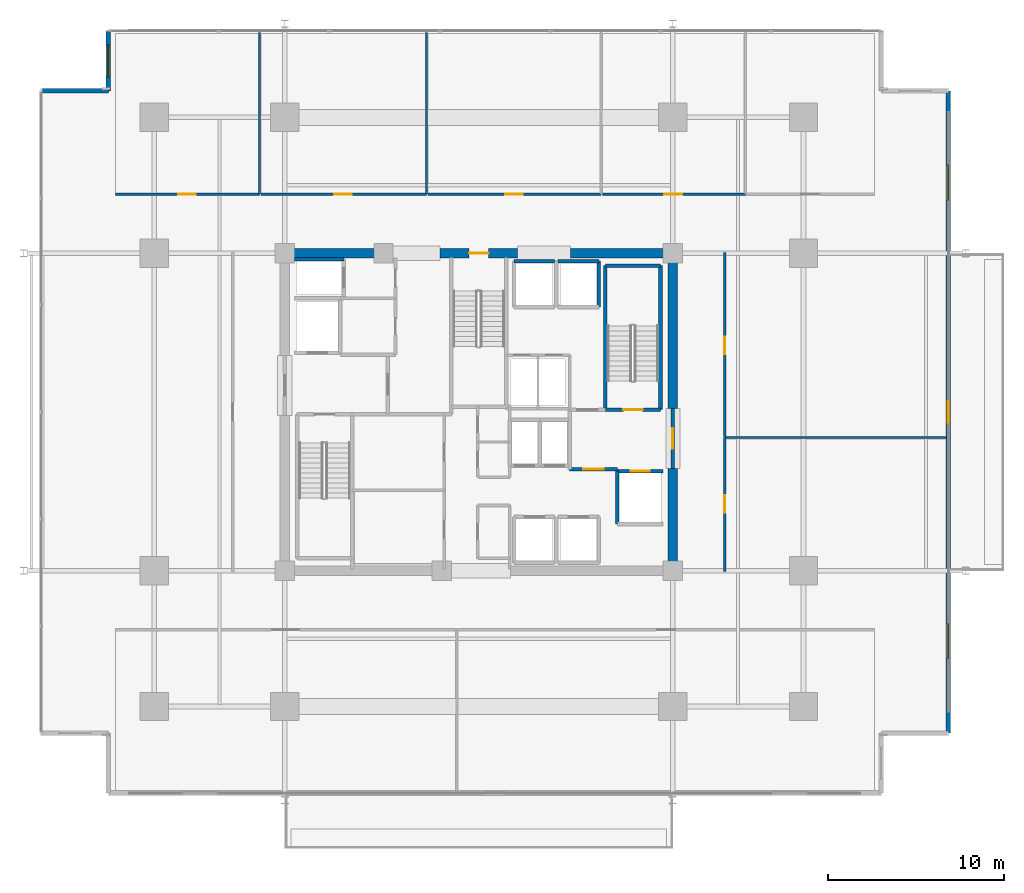
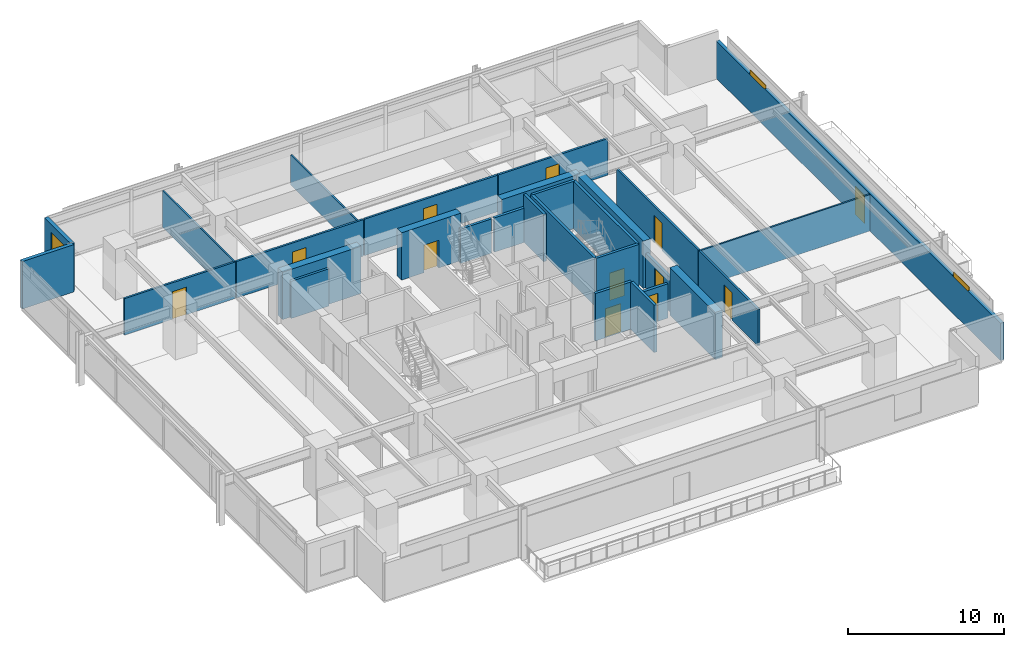
# One storey, part 16 of 22: 29 walls, 12 doors, 3 windows, 15 openings.
"""IFC4 building model written with IfcOpenShell, lengths in metres."""

from ifc_helpers import new_model, si_unit, direction, frame, frame_2d, origin, place, context, subcontext, project, spatial, rectangle, extrude, material, layer, layer_set, type_object, element, fill, save


model = new_model("IFC4")

# Units and contexts
model_context = context("Model", 3, precision=1e-05, world=origin(), true_north=direction((0.0, 1.0)))
body_context = subcontext(model_context, "Body", "Model", "MODEL_VIEW")
ifc_project = project(units=[si_unit("LENGTHUNIT", "METRE"), si_unit("AREAUNIT", "SQUARE_METRE"), si_unit("VOLUMEUNIT", "CUBIC_METRE"), si_unit("PLANEANGLEUNIT", "RADIAN"), si_unit("MASSUNIT", "GRAM", prefix="KILO")], contexts=[model_context])

# Site, building, storey
site_placement = place(None, origin())
site = spatial("IfcSite", under=ifc_project, at=site_placement, CompositionType="ELEMENT")
building_placement = place(site_placement, origin())
building = spatial("IfcBuilding", under=site, at=building_placement, Name="Kovane Verandah Tower", CompositionType="ELEMENT")
storey_placement = place(building_placement, frame((0.0, 0.0, 180.39990234375)))
storey = spatial("IfcBuildingStorey", under=building, at=storey_placement, Name="L42", CompositionType="ELEMENT", Elevation=180.39990234375)

# Wall, opening, door
ifc_material_1 = material(Name="Fire-Rated Gypsum Stud Partition", Category="gypsum")
ifc_layer_1 = layer(ifc_material_1, 0.14990234375)
ifc_layer_set_1 = layer_set([ifc_layer_1], Name="Fire-Rated Gypsum Stud Partition")
wall_type_1 = type_object("IfcWallType", Name="WL-COR-150", PredefinedType="PARTITIONING", material=ifc_layer_set_1)
wall_1_placement = place(storey_placement, frame((19.39990234375, 39.85009765625, 0.0), z_axis=(0.0, 0.0, 1.0), x_axis=(1.0, 0.0, 0.0)))
wall_1 = element("IfcWall", 1, at=wall_1_placement, inside=storey, type_object=wall_type_1, Name="L42 Breakout Pantry N1 Corridor Partition", PredefinedType="PARTITIONING", context=body_context, shape_type="SweptSolid", body=[
    extrude(rectangle(XDim=8.173828125, YDim=0.14990234375, at=frame_2d((4.0869140625, 0.0))), origin(), (0.0, 0.0, 1.0), 2.85009765625),
])
opening_1_placement = place(wall_1_placement, frame((3.552001953125, 0.0, 0.0)))
opening_1 = element("IfcOpeningElement", 2, at=opening_1_placement, cuts=wall_1, Name="Opening DR-L42-018", PredefinedType="OPENING", context=body_context, shape_type="SweptSolid", body=[
    extrude(rectangle(XDim=1.0, YDim=2.14990234375, at=frame_2d((0.5, 1.074951171875))), frame((0.0, 0.074951171875, 0.0), z_axis=(0.0, -1.0, 0.0), x_axis=(1.0, 0.0, 0.0)), (0.0, 0.0, 1.0), 0.14990234375),
])
ifc_material_2 = material(Name="FSC Spotted-Gum Timber Fire-Rated Office Door", Category="wood")
door_type_1 = type_object("IfcDoorType", Name="DR-OFF-1000", OperationType="SINGLE_SWING_LEFT", PredefinedType="DOOR", material=ifc_material_2)
door_1_placement = place(opening_1_placement, origin())
door_1 = element("IfcDoor", 3, at=door_1_placement, inside=storey, type_object=door_type_1, Name="L42 Breakout Pantry N1 Entrance Door", OperationType="SINGLE_SWING_LEFT", OverallHeight=2.14990234375, OverallWidth=1.0, PredefinedType="DOOR", context=body_context, shape_type="SweptSolid", body=[
    extrude(rectangle(XDim=1.0, YDim=2.14990234375, at=frame_2d((0.5, 1.074951171875))), frame((0.0, 0.02490234375, 0.0), z_axis=(0.0, -1.0, 0.0), x_axis=(1.0, 0.0, 0.0)), (0.0, 0.0, 1.0), 0.050048828125),
])
fill(opening_1, door_1)

wall_2_placement = place(storey_placement, frame((27.643798828125, 39.85009765625, 0.0), z_axis=(0.0, 0.0, 1.0), x_axis=(1.0, 0.0, 0.0)))
wall_2 = element("IfcWall", 4, at=wall_2_placement, inside=storey, type_object=wall_type_1, Name="L42 Collaboration Hub N2 Corridor Partition", PredefinedType="PARTITIONING", context=body_context, shape_type="SweptSolid", body=[
    extrude(rectangle(XDim=9.394287109375, YDim=0.14990234375, at=frame_2d((4.697265625, 0.0))), origin(), (0.0, 0.0, 1.0), 2.85009765625),
])
opening_2_placement = place(wall_2_placement, frame((4.162109375, 0.0, 0.0)))
opening_2 = element("IfcOpeningElement", 5, at=opening_2_placement, cuts=wall_2, Name="Opening DR-L42-019", PredefinedType="OPENING", context=body_context, shape_type="SweptSolid", body=[
    extrude(rectangle(XDim=1.0, YDim=2.14990234375, at=frame_2d((0.5, 1.074951171875))), frame((0.0, 0.074951171875, 0.0), z_axis=(0.0, -1.0, 0.0), x_axis=(1.0, 0.0, 0.0)), (0.0, 0.0, 1.0), 0.14990234375),
])
door_2_placement = place(opening_2_placement, origin())
door_2 = element("IfcDoor", 6, at=door_2_placement, inside=storey, type_object=door_type_1, Name="L42 Collaboration Hub N2 Entrance Door", OperationType="SINGLE_SWING_RIGHT", OverallHeight=2.14990234375, OverallWidth=1.0, PredefinedType="DOOR", context=body_context, shape_type="SweptSolid", body=[
    extrude(rectangle(XDim=1.0, YDim=2.14990234375, at=frame_2d((0.5, 1.074951171875))), frame((0.0, 0.02490234375, 0.0), z_axis=(0.0, -1.0, 0.0), x_axis=(1.0, 0.0, 0.0)), (0.0, 0.0, 1.0), 0.050048828125),
])
fill(opening_2, door_2)

wall_3_placement = place(storey_placement, frame((37.108154296875, 39.85009765625, 0.0), z_axis=(0.0, 0.0, 1.0), x_axis=(1.0, 0.0, 0.0)))
wall_3 = element("IfcWall", 7, at=wall_3_placement, inside=storey, type_object=wall_type_1, Name="L42 Document and Print Room N3 Corridor Partition", PredefinedType="PARTITIONING", context=body_context, shape_type="SweptSolid", body=[
    extrude(rectangle(XDim=9.82470703125, YDim=0.14990234375, at=frame_2d((4.912353515625, 0.0))), origin(), (0.0, 0.0, 1.0), 2.85009765625),
])
opening_3_placement = place(wall_3_placement, frame((4.377197265625, 0.0, 0.0)))
opening_3 = element("IfcOpeningElement", 8, at=opening_3_placement, cuts=wall_3, Name="Opening DR-L42-020", PredefinedType="OPENING", context=body_context, shape_type="SweptSolid", body=[
    extrude(rectangle(XDim=1.0, YDim=2.14990234375, at=frame_2d((0.5, 1.074951171875))), frame((0.0, 0.074951171875, 0.0), z_axis=(0.0, -1.0, 0.0), x_axis=(1.0, 0.0, 0.0)), (0.0, 0.0, 1.0), 0.14990234375),
])
door_3_placement = place(opening_3_placement, origin())
door_3 = element("IfcDoor", 9, at=door_3_placement, inside=storey, type_object=door_type_1, Name="L42 Document and Print Room N3 Entrance Door", OperationType="SINGLE_SWING_LEFT", OverallHeight=2.14990234375, OverallWidth=1.0, PredefinedType="DOOR", context=body_context, shape_type="SweptSolid", body=[
    extrude(rectangle(XDim=1.0, YDim=2.14990234375, at=frame_2d((0.5, 1.074951171875))), frame((0.0, 0.02490234375, 0.0), z_axis=(0.0, -1.0, 0.0), x_axis=(1.0, 0.0, 0.0)), (0.0, 0.0, 1.0), 0.050048828125),
])
fill(opening_3, door_3)

wall_4_placement = place(storey_placement, frame((47.002685546875, 39.85009765625, 0.0), z_axis=(0.0, 0.0, 1.0), x_axis=(1.0, 0.0, 0.0)))
wall_4 = element("IfcWall", 10, at=wall_4_placement, inside=storey, type_object=wall_type_1, Name="L42 Open Plan Office N4 Corridor Partition", PredefinedType="PARTITIONING", context=body_context, shape_type="SweptSolid", body=[
    extrude(rectangle(XDim=8.10400390625, YDim=0.14990234375, at=frame_2d((4.052001953125, 0.0))), origin(), (0.0, 0.0, 1.0), 2.85009765625),
])
opening_4_placement = place(wall_4_placement, frame((3.516845703125, 0.0, 0.0)))
opening_4 = element("IfcOpeningElement", 11, at=opening_4_placement, cuts=wall_4, Name="Opening DR-L42-021", PredefinedType="OPENING", context=body_context, shape_type="SweptSolid", body=[
    extrude(rectangle(XDim=1.0, YDim=2.14990234375, at=frame_2d((0.5, 1.074951171875))), frame((0.0, 0.074951171875, 0.0), z_axis=(0.0, -1.0, 0.0), x_axis=(1.0, 0.0, 0.0)), (0.0, 0.0, 1.0), 0.14990234375),
])
door_4_placement = place(opening_4_placement, origin())
door_4 = element("IfcDoor", 12, at=door_4_placement, inside=storey, type_object=door_type_1, Name="L42 Open Plan Office N4 Entrance Door", OperationType="SINGLE_SWING_RIGHT", OverallHeight=2.14990234375, OverallWidth=1.0, PredefinedType="DOOR", context=body_context, shape_type="SweptSolid", body=[
    extrude(rectangle(XDim=1.0, YDim=2.14990234375, at=frame_2d((0.5, 1.074951171875))), frame((0.0, 0.02490234375, 0.0), z_axis=(0.0, -1.0, 0.0), x_axis=(1.0, 0.0, 0.0)), (0.0, 0.0, 1.0), 0.050048828125),
])
fill(opening_4, door_4)

wall_5_placement = place(storey_placement, frame((53.949951171875, 18.449951171875, 0.0), z_axis=(0.0, 0.0, 1.0), x_axis=(0.0, 1.0, 0.0)))
wall_5 = element("IfcWall", 13, at=wall_5_placement, inside=storey, type_object=wall_type_1, Name="L42 Breakout Pantry E1 Corridor Partition", PredefinedType="PARTITIONING", context=body_context, shape_type="SweptSolid", body=[
    extrude(rectangle(XDim=7.60205078125, YDim=0.14990234375, at=frame_2d((3.801025390625, 0.0))), origin(), (0.0, 0.0, 1.0), 2.85009765625),
])
opening_5_placement = place(wall_5_placement, frame((3.341064453125, 0.0, 0.0)))
opening_5 = element("IfcOpeningElement", 14, at=opening_5_placement, cuts=wall_5, Name="Opening DR-L42-012", PredefinedType="OPENING", context=body_context, shape_type="SweptSolid", body=[
    extrude(rectangle(XDim=1.0, YDim=2.14990234375, at=frame_2d((0.5, 1.074951171875))), frame((0.0, 0.074951171875, 0.0), z_axis=(0.0, -1.0, 0.0), x_axis=(1.0, 0.0, 0.0)), (0.0, 0.0, 1.0), 0.14990234375),
])
door_5_placement = place(opening_5_placement, origin())
door_5 = element("IfcDoor", 15, at=door_5_placement, inside=storey, type_object=door_type_1, Name="L42 Breakout Pantry E1 Entrance Door", OperationType="SINGLE_SWING_LEFT", OverallHeight=2.14990234375, OverallWidth=1.0, PredefinedType="DOOR", context=body_context, shape_type="SweptSolid", body=[
    extrude(rectangle(XDim=1.0, YDim=2.14990234375, at=frame_2d((0.5, 1.074951171875))), frame((0.0, 0.02490234375, 0.0), z_axis=(0.0, -1.0, 0.0), x_axis=(1.0, 0.0, 0.0)), (0.0, 0.0, 1.0), 0.050048828125),
])
fill(opening_5, door_5)

wall_6_placement = place(storey_placement, frame((53.949951171875, 26.1220703125, 0.0), z_axis=(0.0, 0.0, 1.0), x_axis=(0.0, 1.0, 0.0)))
wall_6 = element("IfcWall", 16, at=wall_6_placement, inside=storey, type_object=wall_type_1, Name="L42 Collaboration Hub E2 Corridor Partition", PredefinedType="PARTITIONING", context=body_context, shape_type="SweptSolid", body=[
    extrude(rectangle(XDim=10.427978515625, YDim=0.14990234375, at=frame_2d((5.2138671875, 0.0))), origin(), (0.0, 0.0, 1.0), 2.85009765625),
])
opening_6_placement = place(wall_6_placement, frame((4.638916015625, 0.0, 0.0)))
opening_6 = element("IfcOpeningElement", 17, at=opening_6_placement, cuts=wall_6, Name="Opening DR-L42-013", PredefinedType="OPENING", context=body_context, shape_type="SweptSolid", body=[
    extrude(rectangle(XDim=1.0, YDim=2.14990234375, at=frame_2d((0.5, 1.074951171875))), frame((0.0, 0.074951171875, 0.0), z_axis=(0.0, -1.0, 0.0), x_axis=(1.0, 0.0, 0.0)), (0.0, 0.0, 1.0), 0.14990234375),
])
door_6_placement = place(opening_6_placement, origin())
door_6 = element("IfcDoor", 18, at=door_6_placement, inside=storey, type_object=door_type_1, Name="L42 Collaboration Hub E2 Entrance Door", OperationType="SINGLE_SWING_RIGHT", OverallHeight=2.14990234375, OverallWidth=1.0, PredefinedType="DOOR", context=body_context, shape_type="SweptSolid", body=[
    extrude(rectangle(XDim=1.0, YDim=2.14990234375, at=frame_2d((0.5, 1.074951171875))), frame((0.0, 0.02490234375, 0.0), z_axis=(0.0, -1.0, 0.0), x_axis=(1.0, 0.0, 0.0)), (0.0, 0.0, 1.0), 0.050048828125),
])
fill(opening_6, door_6)

# Wall
ifc_material_3 = material(Name="Concrete C60/75", Category="concrete")
ifc_layer_2 = layer(ifc_material_3, 0.550048828125)
ifc_layer_set_2 = layer_set([ifc_layer_2], Name="Concrete C60/75")
wall_type_2 = type_object("IfcWallType", Name="WL-CORE-550", PredefinedType="SHEAR", material=ifc_layer_set_2)
wall_7_placement = place(storey_placement, frame((29.0, 36.5, 0.0), z_axis=(0.0, 0.0, 1.0), x_axis=(1.0, 0.0, 0.0)))
element("IfcWall", 19, at=wall_7_placement, inside=storey, type_object=wall_type_2, Name="L42 Core Shear Wall CN-1", PredefinedType="SHEAR", context=body_context, shape_type="SweptSolid", body=[
    extrude(rectangle(XDim=5.800048828125, YDim=0.550048828125, at=frame_2d((2.89990234375, 0.0))), origin(), (0.0, 0.0, 1.0), 3.7001953125),
])

# Wall, opening, door
wall_8_placement = place(storey_placement, frame((37.800048828125, 36.5, 0.0), z_axis=(0.0, 0.0, 1.0), x_axis=(1.0, 0.0, 0.0)))
wall_8 = element("IfcWall", 20, at=wall_8_placement, inside=storey, type_object=wall_type_2, Name="L42 Core Shear Wall CN-2", PredefinedType="SHEAR", context=body_context, shape_type="SweptSolid", body=[
    extrude(rectangle(XDim=4.39990234375, YDim=0.550048828125, at=frame_2d((2.199951171875, 0.0))), origin(), (0.0, 0.0, 1.0), 3.7001953125),
])
opening_7_placement = place(wall_8_placement, frame((1.64990234375, 0.0, 0.0)))
opening_7 = element("IfcOpeningElement", 21, at=opening_7_placement, cuts=wall_8, Name="Opening DR-L42-011", PredefinedType="OPENING", context=body_context, shape_type="SweptSolid", body=[
    extrude(rectangle(XDim=1.10009765625, YDim=2.14990234375, at=frame_2d((0.550048828125, 1.074951171875))), frame((0.0, 0.27490234375, 0.0), z_axis=(0.0, -1.0, 0.0), x_axis=(1.0, 0.0, 0.0)), (0.0, 0.0, 1.0), 0.550048828125),
])
ifc_material_4 = material(Name="Fire-Rated Steel Exit Door", Category="steel")
door_type_2 = type_object("IfcDoorType", Name="DR-STAIR-1100", OperationType="SINGLE_SWING_LEFT", PredefinedType="DOOR", material=ifc_material_4)
door_7_placement = place(opening_7_placement, origin())
door_7 = element("IfcDoor", 22, at=door_7_placement, inside=storey, type_object=door_type_2, Name="L42 ST-03 Fire Exit Stair Door", OperationType="SINGLE_SWING_LEFT", OverallHeight=2.14990234375, OverallWidth=1.10009765625, PredefinedType="DOOR", context=body_context, shape_type="SweptSolid", body=[
    extrude(rectangle(XDim=1.10009765625, YDim=2.14990234375, at=frame_2d((0.550048828125, 1.074951171875))), frame((0.0, 0.02490234375, 0.0), z_axis=(0.0, -1.0, 0.0), x_axis=(1.0, 0.0, 0.0)), (0.0, 0.0, 1.0), 0.050048828125),
])
fill(opening_7, door_7)

# Walls
for number, where, z_axis, x_axis, name in (
    (23, (45.199951171875, 36.5, 0.0), (0.0, 0.0, 1.0), (1.0, 0.0, 0.0), "L42 Core Shear Wall CN-3"),
    (24, (51.0, 18.5, 0.0), (0.0, 0.0, 1.0), (0.0, 1.0, 0.0), "L42 Core Shear Wall CE-1"),
):
    element("IfcWall", number, at=place(storey_placement, frame(where, z_axis=z_axis, x_axis=x_axis)), inside=storey, type_object=wall_type_2, Name=name, PredefinedType="SHEAR", context=body_context, shape_type="SweptSolid", body=[
        extrude(rectangle(XDim=5.800048828125, YDim=0.550048828125, at=frame_2d((2.89990234375, 0.0))), origin(), (0.0, 0.0, 1.0), 3.7001953125),
    ])
wall_9_placement = place(storey_placement, frame((51.0, 27.699951171875, 0.0), z_axis=(0.0, 0.0, 1.0), x_axis=(0.0, 1.0, 0.0)))
element("IfcWall", 25, at=wall_9_placement, inside=storey, type_object=wall_type_2, Name="L42 Core Shear Wall CE-2", PredefinedType="SHEAR", context=body_context, shape_type="SweptSolid", body=[
    extrude(rectangle(XDim=8.800048828125, YDim=0.550048828125, at=frame_2d((4.39990234375, 0.0))), origin(), (0.0, 0.0, 1.0), 3.7001953125),
])

# Wall, opening, door
ifc_material_5 = material(Name="Concrete C45/55 Fire Wall", Category="concrete")
ifc_layer_3 = layer(ifc_material_5, 0.199951171875)
ifc_layer_set_3 = layer_set([ifc_layer_3], Name="Concrete C45/55 Fire Wall")
wall_type_3 = type_object("IfcWallType", Name="WL-FFL-200", PredefinedType="PARTITIONING", material=ifc_layer_set_3)
wall_10_placement = place(storey_placement, frame((45.14990234375, 24.25, 0.0), z_axis=(0.0, 0.0, 1.0), x_axis=(1.0, 0.0, 0.0)))
wall_10 = element("IfcWall", 26, at=wall_10_placement, inside=storey, type_object=wall_type_3, Name="W-L42-FFLE-S", PredefinedType="PARTITIONING", context=body_context, shape_type="SweptSolid", body=[
    extrude(rectangle(XDim=2.7001953125, YDim=0.199951171875, at=frame_2d((1.35009765625, 0.0))), origin(), (0.0, 0.0, 1.0), 3.7001953125),
])
opening_8_placement = place(wall_10_placement, frame((0.77490234375, 0.0, 0.0)))
opening_8 = element("IfcOpeningElement", 27, at=opening_8_placement, cuts=wall_10, Name="Opening DR-L42-003", PredefinedType="OPENING", context=body_context, shape_type="SweptSolid", body=[
    extrude(rectangle(XDim=1.14990234375, YDim=2.199951171875, at=frame_2d((0.574951171875, 1.10009765625))), frame((0.0, 0.10009765625, 0.0), z_axis=(0.0, -1.0, 0.0), x_axis=(1.0, 0.0, 0.0)), (0.0, 0.0, 1.0), 0.199951171875),
])
ifc_material_6 = material(Name="Smoke-Sealed Firefighting Lobby Door", Category="steel")
door_type_3 = type_object("IfcDoorType", Name="DR-FFL-1150", OperationType="SINGLE_SWING_LEFT", PredefinedType="DOOR", material=ifc_material_6)
door_8_placement = place(opening_8_placement, origin())
door_8 = element("IfcDoor", 28, at=door_8_placement, inside=storey, type_object=door_type_3, Name="L42 East Firefighting Lobby Inner Door", OperationType="SINGLE_SWING_RIGHT", OverallHeight=2.199951171875, OverallWidth=1.14990234375, PredefinedType="DOOR", context=body_context, shape_type="SweptSolid", body=[
    extrude(rectangle(XDim=1.14990234375, YDim=2.199951171875, at=frame_2d((0.574951171875, 1.10009765625))), frame((0.0, 0.02490234375, 0.0), z_axis=(0.0, -1.0, 0.0), x_axis=(1.0, 0.0, 0.0)), (0.0, 0.0, 1.0), 0.050048828125),
])
fill(opening_8, door_8)

wall_11_placement = place(storey_placement, frame((51.0, 24.300048828125, 0.0), z_axis=(0.0, 0.0, 1.0), x_axis=(0.0, 1.0, 0.0)))
wall_11 = element("IfcWall", 29, at=wall_11_placement, inside=storey, type_object=wall_type_3, Name="W-L42-FFLE-OUT", PredefinedType="PARTITIONING", context=body_context, shape_type="SweptSolid", body=[
    extrude(rectangle(XDim=3.39990234375, YDim=0.199951171875, at=frame_2d((1.699951171875, 0.0))), origin(), (0.0, 0.0, 1.0), 2.68017578125),
])
opening_9_placement = place(wall_11_placement, frame((1.125, 0.0, 0.0)))
opening_9 = element("IfcOpeningElement", 30, at=opening_9_placement, cuts=wall_11, Name="Opening DR-L42-005", PredefinedType="OPENING", context=body_context, shape_type="SweptSolid", body=[
    extrude(rectangle(XDim=1.14990234375, YDim=2.199951171875, at=frame_2d((0.574951171875, 1.10009765625))), frame((0.0, 0.10009765625, 0.0), z_axis=(0.0, -1.0, 0.0), x_axis=(1.0, 0.0, 0.0)), (0.0, 0.0, 1.0), 0.199951171875),
])
door_9_placement = place(opening_9_placement, origin())
door_9 = element("IfcDoor", 31, at=door_9_placement, inside=storey, type_object=door_type_3, Name="L42 East Firefighting Lobby Corridor Door", OperationType="SINGLE_SWING_LEFT", OverallHeight=2.199951171875, OverallWidth=1.14990234375, PredefinedType="DOOR", context=body_context, shape_type="SweptSolid", body=[
    extrude(rectangle(XDim=1.14990234375, YDim=2.199951171875, at=frame_2d((0.574951171875, 1.10009765625))), frame((0.0, 0.02490234375, 0.0), z_axis=(0.0, -1.0, 0.0), x_axis=(1.0, 0.0, 0.0)), (0.0, 0.0, 1.0), 0.050048828125),
])
fill(opening_9, door_9)

ifc_material_7 = material(Name="Concrete C45/55 Lift Shaft Wall", Category="concrete")
ifc_layer_4 = layer(ifc_material_7, 0.199951171875)
ifc_layer_set_4 = layer_set([ifc_layer_4], Name="Concrete C45/55 Lift Shaft Wall")
wall_type_4 = type_object("IfcWallType", Name="WL-LIFT-200", PredefinedType="SOLIDWALL", material=ifc_layer_set_4)
wall_12_placement = place(storey_placement, frame((50.449951171875, 24.14990234375, 0.0), z_axis=(0.0, 0.0, 1.0), x_axis=(-1.0, 0.0, 0.0)))
wall_12 = element("IfcWall", 32, at=wall_12_placement, inside=storey, type_object=wall_type_4, Name="L42 Lift FL-02 N Shaft Wall", PredefinedType="SOLIDWALL", context=body_context, shape_type="SweptSolid", body=[
    extrude(rectangle(XDim=2.599853515625, YDim=0.199951171875, at=frame_2d((1.2998046875, 0.0))), origin(), (0.0, 0.0, 1.0), 2.68017578125),
])
opening_10_placement = place(wall_12_placement, frame((0.75, 0.0, 0.0)))
opening_10 = element("IfcOpeningElement", 33, at=opening_10_placement, cuts=wall_12, Name="Opening LD-L42-002", PredefinedType="OPENING", context=body_context, shape_type="SweptSolid", body=[
    extrude(rectangle(XDim=1.10009765625, YDim=2.199951171875, at=frame_2d((0.550048828125, 1.10009765625))), frame((0.0, 0.10009765625, 0.0), z_axis=(0.0, -1.0, 0.0), x_axis=(1.0, 0.0, 0.0)), (0.0, 0.0, 1.0), 0.199951171875),
])
ifc_material_8 = material(Name="Brushed Stainless Steel Sliding Lift Landing Door", Category="steel")
door_type_4 = type_object("IfcDoorType", Name="DR-LIFT-1100", OperationType="SLIDING_TO_RIGHT", PredefinedType="DOOR", material=ifc_material_8)
door_10_placement = place(opening_10_placement, origin())
door_10 = element("IfcDoor", 34, at=door_10_placement, inside=storey, type_object=door_type_4, Name="L42 Lift FL-02 Sliding Landing Door", OperationType="SLIDING_TO_RIGHT", OverallHeight=2.199951171875, OverallWidth=1.10009765625, PredefinedType="DOOR", context=body_context, shape_type="SweptSolid", body=[
    extrude(rectangle(XDim=1.10009765625, YDim=2.199951171875, at=frame_2d((0.550048828125, 1.10009765625))), frame((0.0, 0.02490234375, 0.0), z_axis=(0.0, -1.0, 0.0), x_axis=(1.0, 0.0, 0.0)), (0.0, 0.0, 1.0), 0.050048828125),
])
fill(opening_10, door_10)

# Walls
wall_13_placement = place(storey_placement, frame((47.85009765625, 24.14990234375, 0.0), z_axis=(0.0, 0.0, 1.0), x_axis=(0.0, -1.0, 0.0)))
element("IfcWall", 35, at=wall_13_placement, inside=storey, type_object=wall_type_4, Name="L42 Lift FL-02 W Shaft Wall", PredefinedType="SOLIDWALL", context=body_context, shape_type="SweptSolid", body=[
    extrude(rectangle(XDim=3.0, YDim=0.199951171875, at=frame_2d((1.5, 0.0))), origin(), (0.0, 0.0, 1.0), 3.7001953125),
])
wall_14_placement = place(storey_placement, frame((32.35009765625, 36.14990234375, 0.0), z_axis=(0.0, 0.0, 1.0), x_axis=(-1.0, 0.0, 0.0)))
element("IfcWall", 36, at=wall_14_placement, inside=storey, type_object=wall_type_4, Name="L42 Lift GL-01 N Shaft Wall", PredefinedType="SOLIDWALL", context=body_context, shape_type="SweptSolid", body=[
    extrude(rectangle(XDim=2.800048828125, YDim=0.199951171875, at=frame_2d((1.39990234375, 0.0))), origin(), (0.0, 0.0, 1.0), 2.910400390625),
])
for number, where, z_axis, x_axis, name in (
    (37, (44.300048828125, 36.050048828125, 0.0), (0.0, 0.0, 1.0), (-1.0, 0.0, 0.0), "L42 Lift SL-01 N Shaft Wall"),
    (38, (46.800048828125, 36.050048828125, 0.0), (0.0, 0.0, 1.0), (-1.0, 0.0, 0.0), "L42 Lift OL-01 N Shaft Wall"),
):
    element("IfcWall", number, at=place(storey_placement, frame(where, z_axis=z_axis, x_axis=x_axis)), inside=storey, type_object=wall_type_4, Name=name, PredefinedType="SOLIDWALL", context=body_context, shape_type="SweptSolid", body=[
        extrude(rectangle(XDim=2.300048828125, YDim=0.199951171875, at=frame_2d((1.14990234375, 0.0))), origin(), (0.0, 0.0, 1.0), 2.68017578125),
    ])
wall_15_placement = place(storey_placement, frame((46.800048828125, 33.449951171875, 0.0), z_axis=(0.0, 0.0, 1.0), x_axis=(0.0, 1.0, 0.0)))
element("IfcWall", 39, at=wall_15_placement, inside=storey, type_object=wall_type_4, Name="L42 Lift OL-01 E Shaft Wall", PredefinedType="SOLIDWALL", context=body_context, shape_type="SweptSolid", body=[
    extrude(rectangle(XDim=2.60009765625, YDim=0.199951171875, at=frame_2d((1.300048828125, 0.0))), origin(), (0.0, 0.0, 1.0), 3.7001953125),
])
ifc_material_9 = material(Name="Acoustic Fire-Rated Gypsum Partition", Category="gypsum")
ifc_layer_5 = layer(ifc_material_9, 0.1201171875)
ifc_layer_set_5 = layer_set([ifc_layer_5], Name="Acoustic Fire-Rated Gypsum Partition")
wall_type_5 = type_object("IfcWallType", Name="WL-PART-120", PredefinedType="PARTITIONING", material=ifc_layer_set_5)
wall_16_placement = place(storey_placement, frame((27.57373046875, 39.85009765625, 0.0), z_axis=(0.0, 0.0, 1.0), x_axis=(0.0, 1.0, 0.0)))
element("IfcWall", 40, at=wall_16_placement, inside=storey, type_object=wall_type_5, Name="L42 Breakout Pantry N1 Dividing Partition", PredefinedType="PARTITIONING", context=body_context, shape_type="SweptSolid", body=[
    extrude(rectangle(XDim=9.14990234375, YDim=0.1201171875, at=frame_2d((4.574951171875, 0.0))), origin(), (0.0, 0.0, 1.0), 2.85009765625),
])
wall_17_placement = place(storey_placement, frame((37.0380859375, 39.85009765625, 0.0), z_axis=(0.0, 0.0, 1.0), x_axis=(0.0, 1.0, 0.0)))
element("IfcWall", 41, at=wall_17_placement, inside=storey, type_object=wall_type_5, Name="L42 Collaboration Hub N2 Dividing Partition", PredefinedType="PARTITIONING", context=body_context, shape_type="SweptSolid", body=[
    extrude(rectangle(XDim=9.14990234375, YDim=0.1201171875, at=frame_2d((4.574951171875, 0.0))), origin(), (0.0, 0.0, 1.0), 2.330078125),
])
wall_18_placement = place(storey_placement, frame((53.949951171875, 26.052001953125, 0.0), z_axis=(0.0, 0.0, 1.0), x_axis=(1.0, 0.0, 0.0)))
element("IfcWall", 42, at=wall_18_placement, inside=storey, type_object=wall_type_5, Name="L42 Breakout Pantry E1 Dividing Partition", PredefinedType="PARTITIONING", context=body_context, shape_type="SweptSolid", body=[
    extrude(rectangle(XDim=12.570068359375, YDim=0.1201171875, at=frame_2d((6.28515625, 0.0))), origin(), (0.0, 0.0, 1.0), 2.85009765625),
])
ifc_material_10 = material(Name="Concrete C45/55", Category="concrete")
ifc_layer_6 = layer(ifc_material_10, 0.199951171875)
ifc_layer_set_6 = layer_set([ifc_layer_6], Name="Concrete C45/55")
wall_type_6 = type_object("IfcWallType", Name="WL-SHAFT-200", PredefinedType="SOLIDWALL", material=ifc_layer_set_6)
wall_19_placement = place(storey_placement, frame((50.300048828125, 27.64990234375, 0.0), z_axis=(0.0, 0.0, 1.0), x_axis=(0.0, 1.0, 0.0)))
element("IfcWall", 43, at=wall_19_placement, inside=storey, type_object=wall_type_6, Name="W-L42-ST02-E", PredefinedType="SOLIDWALL", context=body_context, shape_type="SweptSolid", body=[
    extrude(rectangle(XDim=8.150146484375, YDim=0.199951171875, at=frame_2d((4.0751953125, 0.0))), origin(), (0.0, 0.0, 1.0), 3.7001953125),
])
wall_20_placement = place(storey_placement, frame((47.179931640625, 35.800048828125, 0.0), z_axis=(0.0, 0.0, 1.0), x_axis=(1.0, 0.0, 0.0)))
element("IfcWall", 44, at=wall_20_placement, inside=storey, type_object=wall_type_6, Name="W-L42-ST02-N", PredefinedType="SOLIDWALL", context=body_context, shape_type="SweptSolid", body=[
    extrude(rectangle(XDim=3.1201171875, YDim=0.199951171875, at=frame_2d((1.56005859375, 0.0))), origin(), (0.0, 0.0, 1.0), 3.7001953125),
])
wall_21_placement = place(storey_placement, frame((47.179931640625, 27.6201171875, 0.0), z_axis=(0.0, 0.0, 1.0), x_axis=(0.0, 1.0, 0.0)))
element("IfcWall", 45, at=wall_21_placement, inside=storey, type_object=wall_type_6, Name="W-L42-ST02-W", PredefinedType="SOLIDWALL", context=body_context, shape_type="SweptSolid", body=[
    extrude(rectangle(XDim=8.179931640625, YDim=0.199951171875, at=frame_2d((4.08984375, 0.0))), origin(), (0.0, 0.0, 1.0), 3.7001953125),
])

# Wall, opening, door
wall_22_placement = place(storey_placement, frame((47.179931640625, 27.6201171875, 0.0), z_axis=(0.0, 0.0, 1.0), x_axis=(1.0, 0.0, 0.0)))
wall_22 = element("IfcWall", 46, at=wall_22_placement, inside=storey, type_object=wall_type_6, Name="W-L42-ST02-S", PredefinedType="SOLIDWALL", context=body_context, shape_type="SweptSolid", body=[
    extrude(rectangle(XDim=3.1201171875, YDim=0.199951171875, at=frame_2d((1.56005859375, 0.0))), origin(), (0.0, 0.0, 1.0), 3.7001953125),
])
opening_11_placement = place(wall_22_placement, frame((1.010009765625, 0.0, 0.0)))
opening_11 = element("IfcOpeningElement", 47, at=opening_11_placement, cuts=wall_22, Name="Opening DR-L42-010", PredefinedType="OPENING", context=body_context, shape_type="SweptSolid", body=[
    extrude(rectangle(XDim=1.10009765625, YDim=2.14990234375, at=frame_2d((0.550048828125, 1.074951171875))), frame((0.0, 0.10009765625, 0.0), z_axis=(0.0, -1.0, 0.0), x_axis=(1.0, 0.0, 0.0)), (0.0, 0.0, 1.0), 0.199951171875),
])
door_11_placement = place(opening_11_placement, origin())
door_11 = element("IfcDoor", 48, at=door_11_placement, inside=storey, type_object=door_type_2, Name="L42 ST-02 Fire Exit Stair Door", OperationType="SINGLE_SWING_RIGHT", OverallHeight=2.14990234375, OverallWidth=1.10009765625, PredefinedType="DOOR", context=body_context, shape_type="SweptSolid", body=[
    extrude(rectangle(XDim=1.10009765625, YDim=2.14990234375, at=frame_2d((0.550048828125, 1.074951171875))), frame((0.0, 0.02490234375, 0.0), z_axis=(0.0, -1.0, 0.0), x_axis=(1.0, 0.0, 0.0)), (0.0, 0.0, 1.0), 0.050048828125),
])
fill(opening_11, door_11)

# Wall, openings, door, windows
ifc_material_11 = material(Name="Concrete C45/55 Insulated Spandrel Wall", Category="concrete")
ifc_layer_7 = layer(ifc_material_11, 0.260009765625)
ifc_layer_set_7 = layer_set([ifc_layer_7], Name="Concrete C45/55 Insulated Spandrel Wall")
wall_type_7 = type_object("IfcWallType", Name="WL-SPANDREL-260", PredefinedType="PARAPET", material=ifc_layer_set_7)
wall_23_placement = place(storey_placement, frame((66.6201171875, 9.300048828125, 0.0), z_axis=(0.0, 0.0, 1.0), x_axis=(0.0, 1.0, 0.0)))
wall_23 = element("IfcWall", 49, at=wall_23_placement, inside=storey, type_object=wall_type_7, Name="L42 E Verandah Access Facade Wall", PredefinedType="PARAPET", context=body_context, shape_type="SweptSolid", body=[
    extrude(rectangle(XDim=36.39990234375, YDim=0.260009765625, at=frame_2d((18.199951171875, 0.0))), origin(), (0.0, 0.0, 1.0), 2.910400390625),
])
opening_12_placement = place(wall_23_placement, frame((4.199951171875, 0.0, 0.85009765625)))
opening_12 = element("IfcOpeningElement", 50, at=opening_12_placement, cuts=wall_23, Name="Opening W-04", PredefinedType="OPENING", context=body_context, shape_type="SweptSolid", body=[
    extrude(rectangle(XDim=2.0, YDim=2.300048828125, at=frame_2d((1.0, 1.14990234375))), frame((0.0, 0.1298828125, 0.0), z_axis=(0.0, -1.0, 0.0), x_axis=(1.0, 0.0, 0.0)), (0.0, 0.0, 1.0), 0.260009765625),
])
opening_13_placement = place(wall_23_placement, frame((17.60009765625, 0.0, 0.0)))
opening_13 = element("IfcOpeningElement", 51, at=opening_13_placement, cuts=wall_23, Name="Opening DR-L42-001", PredefinedType="OPENING", context=body_context, shape_type="SweptSolid", body=[
    extrude(rectangle(XDim=1.199951171875, YDim=2.199951171875, at=frame_2d((0.60009765625, 1.10009765625))), frame((0.0, 0.1298828125, 0.0), z_axis=(0.0, -1.0, 0.0), x_axis=(1.0, 0.0, 0.0)), (0.0, 0.0, 1.0), 0.260009765625),
])
opening_14_placement = place(wall_23_placement, frame((30.199951171875, 0.0, 0.85009765625)))
opening_14 = element("IfcOpeningElement", 52, at=opening_14_placement, cuts=wall_23, Name="Opening W-04", PredefinedType="OPENING", context=body_context, shape_type="SweptSolid", body=[
    extrude(rectangle(XDim=2.0, YDim=2.300048828125, at=frame_2d((1.0, 1.14990234375))), frame((0.0, 0.1298828125, 0.0), z_axis=(0.0, -1.0, 0.0), x_axis=(1.0, 0.0, 0.0)), (0.0, 0.0, 1.0), 0.260009765625),
])
ifc_material_12 = material(Name="Cyclone-Rated Glazed Balcony Leaf Door", Category="aluminium")
door_type_5 = type_object("IfcDoorType", Name="DR-BAL-1200x2200", OperationType="SINGLE_SWING_LEFT", PredefinedType="DOOR", material=ifc_material_12)
door_12_placement = place(opening_13_placement, origin())
door_12 = element("IfcDoor", 53, at=door_12_placement, inside=storey, type_object=door_type_5, Name="L42 E Planted Balcony Access Door", OperationType="SINGLE_SWING_LEFT", OverallHeight=2.199951171875, OverallWidth=1.199951171875, PredefinedType="DOOR", context=body_context, shape_type="SweptSolid", body=[
    extrude(rectangle(XDim=1.199951171875, YDim=2.199951171875, at=frame_2d((0.60009765625, 1.10009765625))), frame((0.0, 0.02490234375, 0.0), z_axis=(0.0, -1.0, 0.0), x_axis=(1.0, 0.0, 0.0)), (0.0, 0.0, 1.0), 0.050048828125),
])
fill(opening_13, door_12)
ifc_material_13 = material(Name="Clear Low-E Laminated Double Glazing in Anodised Frame", Category="glass")
window_type_1 = type_object("IfcWindowType", Name="WN-FIXED-2000x2300", PartitioningType="SINGLE_PANEL", PredefinedType="WINDOW", material=ifc_material_13)
window_1_placement = place(opening_12_placement, origin())
window_1 = element("IfcWindow", 54, at=window_1_placement, inside=storey, type_object=window_type_1, Name="L42 E Verandah View Window 1", OverallHeight=2.300048828125, OverallWidth=2.0, PartitioningType="SINGLE_PANEL", PredefinedType="WINDOW", context=body_context, shape_type="SweptSolid", body=[
    extrude(rectangle(XDim=2.0, YDim=2.300048828125, at=frame_2d((1.0, 1.14990234375))), frame((0.0, 0.030029296875, 0.0), z_axis=(0.0, -1.0, 0.0), x_axis=(1.0, 0.0, 0.0)), (0.0, 0.0, 1.0), 0.06005859375),
])
fill(opening_12, window_1)
window_2_placement = place(opening_14_placement, origin())
window_2 = element("IfcWindow", 55, at=window_2_placement, inside=storey, type_object=window_type_1, Name="L42 E Verandah View Window 2", OverallHeight=2.300048828125, OverallWidth=2.0, PartitioningType="SINGLE_PANEL", PredefinedType="WINDOW", context=body_context, shape_type="SweptSolid", body=[
    extrude(rectangle(XDim=2.0, YDim=2.300048828125, at=frame_2d((1.0, 1.14990234375))), frame((0.0, 0.030029296875, 0.0), z_axis=(0.0, -1.0, 0.0), x_axis=(1.0, 0.0, 0.0)), (0.0, 0.0, 1.0), 0.06005859375),
])
fill(opening_14, window_2)

# Wall, opening, window
wall_24_placement = place(storey_placement, frame((19.0, 49.10009765625, 0.0), z_axis=(0.0, 0.0, 1.0), x_axis=(0.0, -1.0, 0.0)))
wall_24 = element("IfcWall", 56, at=wall_24_placement, inside=storey, type_object=wall_type_7, Name="L42 NW Notch Cheek Wall 1", PredefinedType="PARAPET", context=body_context, shape_type="SweptSolid", body=[
    extrude(rectangle(XDim=3.400146484375, YDim=0.260009765625, at=frame_2d((1.7001953125, 0.0))), origin(), (0.0, 0.0, 1.0), 3.7001953125),
])
opening_15_placement = place(wall_24_placement, frame((0.800048828125, 0.0, 0.85009765625)))
opening_15 = element("IfcOpeningElement", 57, at=opening_15_placement, cuts=wall_24, Name="Opening W-03", PredefinedType="OPENING", context=body_context, shape_type="SweptSolid", body=[
    extrude(rectangle(XDim=1.800048828125, YDim=2.199951171875, at=frame_2d((0.89990234375, 1.10009765625))), frame((0.0, 0.1298828125, 0.0), z_axis=(0.0, -1.0, 0.0), x_axis=(1.0, 0.0, 0.0)), (0.0, 0.0, 1.0), 0.260009765625),
])
window_type_2 = type_object("IfcWindowType", Name="WN-NOTCH-1800x2200", PartitioningType="SINGLE_PANEL", PredefinedType="WINDOW", material=ifc_material_13)
window_3_placement = place(opening_15_placement, origin())
window_3 = element("IfcWindow", 58, at=window_3_placement, inside=storey, type_object=window_type_2, Name="L42 NW Re-Entrant Corner Operable Window", OverallHeight=2.199951171875, OverallWidth=1.800048828125, PartitioningType="SINGLE_PANEL", PredefinedType="WINDOW", context=body_context, shape_type="SweptSolid", body=[
    extrude(rectangle(XDim=1.800048828125, YDim=2.199951171875, at=frame_2d((0.89990234375, 1.10009765625))), frame((0.0, 0.030029296875, 0.0), z_axis=(0.0, -1.0, 0.0), x_axis=(1.0, 0.0, 0.0)), (0.0, 0.0, 1.0), 0.06005859375),
])
fill(opening_15, window_3)

# Wall
wall_25_placement = place(storey_placement, frame((19.0, 45.699951171875, 0.0), z_axis=(0.0, 0.0, 1.0), x_axis=(-1.0, 0.0, 0.0)))
element("IfcWall", 59, at=wall_25_placement, inside=storey, type_object=wall_type_7, Name="L42 NW Notch Cheek Wall 2", PredefinedType="PARAPET", context=body_context, shape_type="SweptSolid", body=[
    extrude(rectangle(XDim=3.800048828125, YDim=0.260009765625, at=frame_2d((1.89990234375, 0.0))), origin(), (0.0, 0.0, 1.0), 3.7001953125),
])

save(model, "model.ifc")
